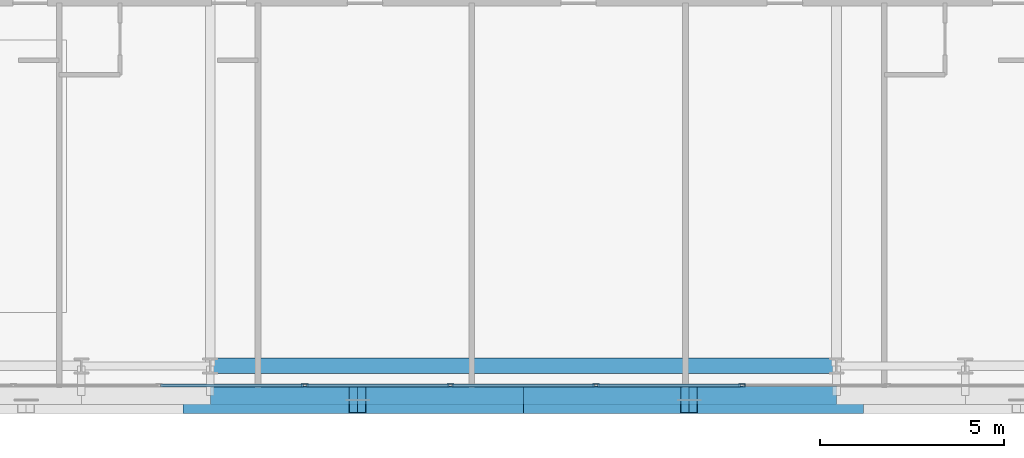
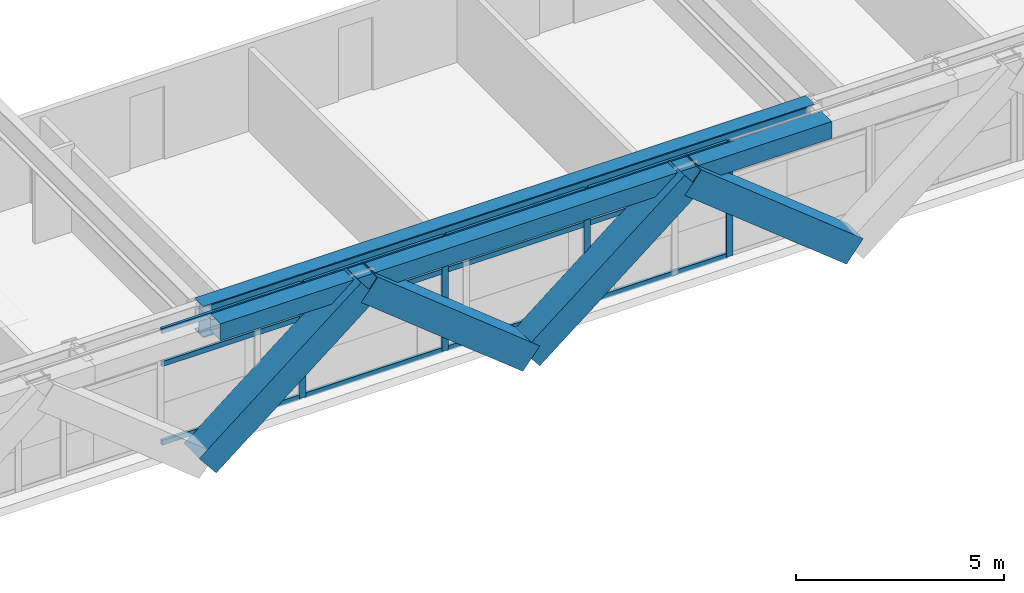
# One storey, part 5 of 39: 20 members, 2 beams, 1 element without a shape of its own.
"""IFC4 building model written with IfcOpenShell, lengths in metres."""

from ifc_helpers import new_model, si_unit, direction, frame, origin, origin_2d, place, context, subcontext, project, spatial, hollow_rectangle, i_section, extrude, source, transform, mapped, material, layer, layer_set, material_profile, profile_set, type_object, element, aggregate, save


model = new_model("IFC4")

# Units and contexts
model_context = context("Model", 3, precision=1e-05, world=origin(), true_north=direction((0.0, 1.0)))
body_context = subcontext(model_context, "Body", "Model", "MODEL_VIEW")
ifc_project = project(units=[si_unit("LENGTHUNIT", "METRE"), si_unit("AREAUNIT", "SQUARE_METRE"), si_unit("VOLUMEUNIT", "CUBIC_METRE"), si_unit("PLANEANGLEUNIT", "RADIAN"), si_unit("MASSUNIT", "GRAM", prefix="KILO")], contexts=[model_context])

# Site, building, storey
site_placement = place(None, origin())
site = spatial("IfcSite", under=ifc_project, at=site_placement, CompositionType="ELEMENT")
building_placement = place(site_placement, origin())
building = spatial("IfcBuilding", under=site, at=building_placement, Name="Ocotamira Hotel", CompositionType="ELEMENT")
storey_placement = place(building_placement, frame((0.0, 0.0, 126.0)))
storey = spatial("IfcBuildingStorey", under=building, at=storey_placement, Name="L31", CompositionType="ELEMENT", Elevation=126.0)

# Beams
ifc_material_1 = material(Name="Steel ASTM A992 Grade 50", Category="steel")
ifc_material_profile_1 = material_profile(ifc_material_1, i_section(OverallWidth=0.41796875, OverallDepth=0.927001953125, WebThickness=0.019287109375, FlangeThickness=0.031982421875, FilletRadius=0.02392578125, at=origin_2d()), Name="W36X231")
ifc_profile_set_1 = profile_set([ifc_material_profile_1], Name="Steel ASTM A992 Grade 50")
beam_type_1 = type_object("IfcBeamType", Name="BM-GIRD-W36X231", PredefinedType="BEAM", material=ifc_profile_set_1)
shared_shape_1 = source(origin(), body_context, "Body", "SweptSolid", [
    extrude(i_section(OverallWidth=0.41796875, OverallDepth=0.927001953125, WebThickness=0.019287109375, FlangeThickness=0.031982421875, FilletRadius=0.02392578125, at=origin_2d()), origin(), (0.0, 0.0, 1.0), 17.0),
])
beam_1_placement = place(storey_placement, frame((23.5, 2.949951171875, 2.896484375), z_axis=(1.0, 0.0, 0.0), x_axis=(0.0, 1.0, 0.0)))
element("IfcBeam", 1, at=beam_1_placement, inside=storey, type_object=beam_type_1, Name="L31 Girder Y2.95 X23.5-40.5", PredefinedType="BEAM", context=body_context, shape_type="MappedRepresentation", body=[
    mapped(shared_shape_1, transform((0.0, 0.0, 0.0), scale=1.0)),
])
ifc_material_2 = material(Name="Steel ASTM A500 Grade C", Category="steel")
ifc_material_profile_2 = material_profile(ifc_material_2, hollow_rectangle(XDim=0.5, YDim=0.5, WallThickness=0.02001953125, at=origin_2d()), Name="HSS500X500X20")
ifc_profile_set_2 = profile_set([ifc_material_profile_2], Name="Steel ASTM A500 Grade C")
beam_type_2 = type_object("IfcBeamType", Name="BM-SPAN-HSS500", PredefinedType="USERDEFINED", material=ifc_profile_set_2)
shared_shape_2 = source(origin(), body_context, "Body", "SweptSolid", [
    extrude(hollow_rectangle(XDim=0.5, YDim=0.5, WallThickness=0.02001953125, at=origin_2d()), origin(), (0.0, 0.0, 1.0), 17.0),
])
beam_2_placement = place(storey_placement, frame((23.5, 2.14990234375, 3.110107421875), z_axis=(1.0, 0.0, 0.0), x_axis=(0.0, 1.0, 0.0)))
element("IfcBeam", 2, at=beam_2_placement, inside=storey, type_object=beam_type_2, Name="L31 Edge Spandrel S X23.5-40.5", ObjectType="SPANDREL", PredefinedType="USERDEFINED", context=body_context, shape_type="MappedRepresentation", body=[
    mapped(shared_shape_2, transform((0.0, 0.0, 0.0), scale=1.0)),
])

# Members
ifc_material_3 = material(Name="Pale-metal coated steel ASTM A913 Grade 65", Category="steel")
ifc_material_profile_3 = material_profile(ifc_material_3, hollow_rectangle(XDim=0.75, YDim=0.75, WallThickness=0.028076171875, at=origin_2d()), Name="BOX750X750X28")
ifc_profile_set_3 = profile_set([ifc_material_profile_3], Name="Pale-metal coated steel ASTM A913 Grade 65")
member_type_1 = type_object("IfcMemberType", Name="MEM-EXO-BOX750", PredefinedType="BRACE", material=ifc_profile_set_3)
shared_shape_3 = source(origin(), body_context, "Body", "SweptSolid", [
    extrude(hollow_rectangle(XDim=0.75, YDim=0.75, WallThickness=0.028076171875, at=origin_2d()), origin(), (0.0, 0.0, 1.0), 5.762939453125),
])
for number, where, z_axis, x_axis, name in (
    (3, (23.0, 2.030029296875, -0.489990234375), (0.780860543151, 0.0, 0.624705380279), (0.0, 1.0, 0.0), "L31 Exoskeleton Diagrid S1.1"),
    (4, (32.0, 2.030029296875, -0.489990234375), (-0.780860543151, 0.0, 0.624705380279), (0.0, -1.0, 0.0), "L31 Exoskeleton Diagrid S1.2"),
    (5, (32.0, 2.030029296875, -0.489990234375), (0.780860543151, 0.0, 0.624705380279), (0.0, 1.0, 0.0), "L31 Exoskeleton Diagrid S2.1"),
    (6, (41.0, 2.030029296875, -0.489990234375), (-0.780860543151, 0.0, 0.624705380279), (0.0, -1.0, 0.0), "L31 Exoskeleton Diagrid S2.2"),
):
    element("IfcMember", number, at=place(storey_placement, frame(where, z_axis=z_axis, x_axis=x_axis)), inside=storey, type_object=member_type_1, Name=name, PredefinedType="BRACE", context=body_context, shape_type="MappedRepresentation", body=[
        mapped(shared_shape_3, transform((0.0, 0.0, 0.0), scale=1.0)),
    ])

# Curtain wall, members
ifc_material_4 = material(Name="Anodised pale-metal aluminium and solar glass", Category="aluminium")
ifc_layer = layer(ifc_material_4, 0.179931640625)
ifc_layer_set = layer_set([ifc_layer], Name="Anodised pale-metal aluminium and solar glass")
curtain_wall_type = type_object("IfcCurtainWallType", Name="CW-SYS3-Z2", PredefinedType="NOTDEFINED", material=ifc_layer_set)
curtain_wall_placement = place(storey_placement, origin())
curtain_wall = element("IfcCurtainWall", 7, at=curtain_wall_placement, inside=storey, type_object=curtain_wall_type, Name="L31 Curtain Wall CW-3 CW-L31-S1", PredefinedType="NOTDEFINED")
ifc_material_5 = material(Name="Anodised pale-metal aluminium 6063-T6", Category="aluminium")
ifc_material_profile_4 = material_profile(ifc_material_5, hollow_rectangle(XDim=0.074951171875, YDim=0.14990234375, WallThickness=0.006103515625, at=origin_2d()), Name="HSS150X75X6")
ifc_profile_set_4 = profile_set([ifc_material_profile_4], Name="Anodised pale-metal aluminium 6063-T6")
member_type_2 = type_object("IfcMemberType", Name="CWT-150X75", PredefinedType="USERDEFINED", material=ifc_profile_set_4)
shared_shape_4 = source(origin(), body_context, "Body", "SweptSolid", [
    extrude(hollow_rectangle(XDim=0.074951171875, YDim=0.14990234375, WallThickness=0.006103515625, at=origin_2d()), origin(), (0.0, 0.0, 1.0), 3.87548828125),
])
member_1_placement = place(storey_placement, frame((22.151123046875, 2.419921875, 0.03759765625), z_axis=(1.0, 0.0, 0.0), x_axis=(0.0, 1.0, 0.0)))
member_1 = element("IfcMember", 8, at=member_1_placement, type_object=member_type_2, Name="CW-3 transom 3.1", ObjectType="TRANSOM", PredefinedType="USERDEFINED", context=body_context, shape_type="MappedRepresentation", body=[
    mapped(shared_shape_4, transform((0.0, 0.0, 0.0), scale=1.0)),
])
member_2_placement = place(storey_placement, frame((22.151123046875, 2.419921875, 2.35009765625), z_axis=(1.0, 0.0, 0.0), x_axis=(0.0, 1.0, 0.0)))
member_2 = element("IfcMember", 9, at=member_2_placement, type_object=member_type_2, Name="CW-3 transom 3.2", ObjectType="TRANSOM", PredefinedType="USERDEFINED", context=body_context, shape_type="MappedRepresentation", body=[
    mapped(shared_shape_4, transform((0.0, 0.0, 0.0), scale=1.0)),
])
member_3_placement = place(storey_placement, frame((22.151123046875, 2.419921875, 3.322509765625), z_axis=(1.0, 0.0, 0.0), x_axis=(0.0, 1.0, 0.0)))
member_3 = element("IfcMember", 10, at=member_3_placement, type_object=member_type_2, Name="CW-3 transom 3.3", ObjectType="TRANSOM", PredefinedType="USERDEFINED", context=body_context, shape_type="MappedRepresentation", body=[
    mapped(shared_shape_4, transform((0.0, 0.0, 0.0), scale=1.0)),
])
member_4_placement = place(storey_placement, frame((26.106689453125, 2.419921875, 0.03759765625), z_axis=(1.0, 0.0, 0.0), x_axis=(0.0, 1.0, 0.0)))
member_4 = element("IfcMember", 11, at=member_4_placement, type_object=member_type_2, Name="CW-3 transom 4.1", ObjectType="TRANSOM", PredefinedType="USERDEFINED", context=body_context, shape_type="MappedRepresentation", body=[
    mapped(shared_shape_4, transform((0.0, 0.0, 0.0), scale=1.0)),
])
member_5_placement = place(storey_placement, frame((26.106689453125, 2.419921875, 2.35009765625), z_axis=(1.0, 0.0, 0.0), x_axis=(0.0, 1.0, 0.0)))
member_5 = element("IfcMember", 12, at=member_5_placement, type_object=member_type_2, Name="CW-3 transom 4.2", ObjectType="TRANSOM", PredefinedType="USERDEFINED", context=body_context, shape_type="MappedRepresentation", body=[
    mapped(shared_shape_4, transform((0.0, 0.0, 0.0), scale=1.0)),
])
member_6_placement = place(storey_placement, frame((26.106689453125, 2.419921875, 3.322509765625), z_axis=(1.0, 0.0, 0.0), x_axis=(0.0, 1.0, 0.0)))
member_6 = element("IfcMember", 13, at=member_6_placement, type_object=member_type_2, Name="CW-3 transom 4.3", ObjectType="TRANSOM", PredefinedType="USERDEFINED", context=body_context, shape_type="MappedRepresentation", body=[
    mapped(shared_shape_4, transform((0.0, 0.0, 0.0), scale=1.0)),
])
member_7_placement = place(storey_placement, frame((30.062255859375, 2.419921875, 0.03759765625), z_axis=(1.0, 0.0, 0.0), x_axis=(0.0, 1.0, 0.0)))
member_7 = element("IfcMember", 14, at=member_7_placement, type_object=member_type_2, Name="CW-3 transom 5.1", ObjectType="TRANSOM", PredefinedType="USERDEFINED", context=body_context, shape_type="MappedRepresentation", body=[
    mapped(shared_shape_4, transform((0.0, 0.0, 0.0), scale=1.0)),
])
member_8_placement = place(storey_placement, frame((30.062255859375, 2.419921875, 2.35009765625), z_axis=(1.0, 0.0, 0.0), x_axis=(0.0, 1.0, 0.0)))
member_8 = element("IfcMember", 15, at=member_8_placement, type_object=member_type_2, Name="CW-3 transom 5.2", ObjectType="TRANSOM", PredefinedType="USERDEFINED", context=body_context, shape_type="MappedRepresentation", body=[
    mapped(shared_shape_4, transform((0.0, 0.0, 0.0), scale=1.0)),
])
member_9_placement = place(storey_placement, frame((30.062255859375, 2.419921875, 3.322509765625), z_axis=(1.0, 0.0, 0.0), x_axis=(0.0, 1.0, 0.0)))
member_9 = element("IfcMember", 16, at=member_9_placement, type_object=member_type_2, Name="CW-3 transom 5.3", ObjectType="TRANSOM", PredefinedType="USERDEFINED", context=body_context, shape_type="MappedRepresentation", body=[
    mapped(shared_shape_4, transform((0.0, 0.0, 0.0), scale=1.0)),
])
member_10_placement = place(storey_placement, frame((34.017822265625, 2.419921875, 0.03759765625), z_axis=(1.0, 0.0, 0.0), x_axis=(0.0, 1.0, 0.0)))
member_10 = element("IfcMember", 17, at=member_10_placement, type_object=member_type_2, Name="CW-3 transom 6.1", ObjectType="TRANSOM", PredefinedType="USERDEFINED", context=body_context, shape_type="MappedRepresentation", body=[
    mapped(shared_shape_4, transform((0.0, 0.0, 0.0), scale=1.0)),
])
member_11_placement = place(storey_placement, frame((34.017822265625, 2.419921875, 2.35009765625), z_axis=(1.0, 0.0, 0.0), x_axis=(0.0, 1.0, 0.0)))
member_11 = element("IfcMember", 18, at=member_11_placement, type_object=member_type_2, Name="CW-3 transom 6.2", ObjectType="TRANSOM", PredefinedType="USERDEFINED", context=body_context, shape_type="MappedRepresentation", body=[
    mapped(shared_shape_4, transform((0.0, 0.0, 0.0), scale=1.0)),
])
member_12_placement = place(storey_placement, frame((34.017822265625, 2.419921875, 3.322509765625), z_axis=(1.0, 0.0, 0.0), x_axis=(0.0, 1.0, 0.0)))
member_12 = element("IfcMember", 19, at=member_12_placement, type_object=member_type_2, Name="CW-3 transom 6.3", ObjectType="TRANSOM", PredefinedType="USERDEFINED", context=body_context, shape_type="MappedRepresentation", body=[
    mapped(shared_shape_4, transform((0.0, 0.0, 0.0), scale=1.0)),
])
ifc_material_profile_5 = material_profile(ifc_material_5, hollow_rectangle(XDim=0.080078125, YDim=0.179931640625, WallThickness=0.006103515625, at=origin_2d()), Name="HSS180X80X6")
ifc_profile_set_5 = profile_set([ifc_material_profile_5], Name="Anodised pale-metal aluminium 6063-T6")
member_type_3 = type_object("IfcMemberType", Name="CWM-180X75", PredefinedType="MULLION", material=ifc_profile_set_5)
shared_shape_5 = source(origin(), body_context, "Body", "SweptSolid", [
    extrude(hollow_rectangle(XDim=0.080078125, YDim=0.179931640625, WallThickness=0.006103515625, at=origin_2d()), origin(), (0.0, 0.0, 1.0), 3.360107421875),
])
member_13_placement = place(storey_placement, frame((26.066650390625, 2.419921875, 0.0), z_axis=(0.0, 0.0, 1.0), x_axis=(0.0, 1.0, 0.0)))
member_13 = element("IfcMember", 20, at=member_13_placement, type_object=member_type_3, Name="CW-3 mullion 4", PredefinedType="MULLION", context=body_context, shape_type="MappedRepresentation", body=[
    mapped(shared_shape_5, transform((0.0, 0.0, 0.0), scale=1.0)),
])
member_14_placement = place(storey_placement, frame((30.022216796875, 2.419921875, 0.0), z_axis=(0.0, 0.0, 1.0), x_axis=(0.0, 1.0, 0.0)))
member_14 = element("IfcMember", 21, at=member_14_placement, type_object=member_type_3, Name="CW-3 mullion 5", PredefinedType="MULLION", context=body_context, shape_type="MappedRepresentation", body=[
    mapped(shared_shape_5, transform((0.0, 0.0, 0.0), scale=1.0)),
])
member_15_placement = place(storey_placement, frame((33.977783203125, 2.419921875, 0.0), z_axis=(0.0, 0.0, 1.0), x_axis=(0.0, 1.0, 0.0)))
member_15 = element("IfcMember", 22, at=member_15_placement, type_object=member_type_3, Name="CW-3 mullion 6", PredefinedType="MULLION", context=body_context, shape_type="MappedRepresentation", body=[
    mapped(shared_shape_5, transform((0.0, 0.0, 0.0), scale=1.0)),
])
member_16_placement = place(storey_placement, frame((37.933349609375, 2.419921875, 0.0), z_axis=(0.0, 0.0, 1.0), x_axis=(0.0, 1.0, 0.0)))
member_16 = element("IfcMember", 23, at=member_16_placement, type_object=member_type_3, Name="CW-3 mullion 7", PredefinedType="MULLION", context=body_context, shape_type="MappedRepresentation", body=[
    mapped(shared_shape_5, transform((0.0, 0.0, 0.0), scale=1.0)),
])
aggregate(curtain_wall, [member_13, member_14, member_15, member_16, member_1, member_2, member_3, member_4, member_5, member_6, member_7, member_8, member_9, member_10, member_11, member_12])

save(model, "model.ifc")
